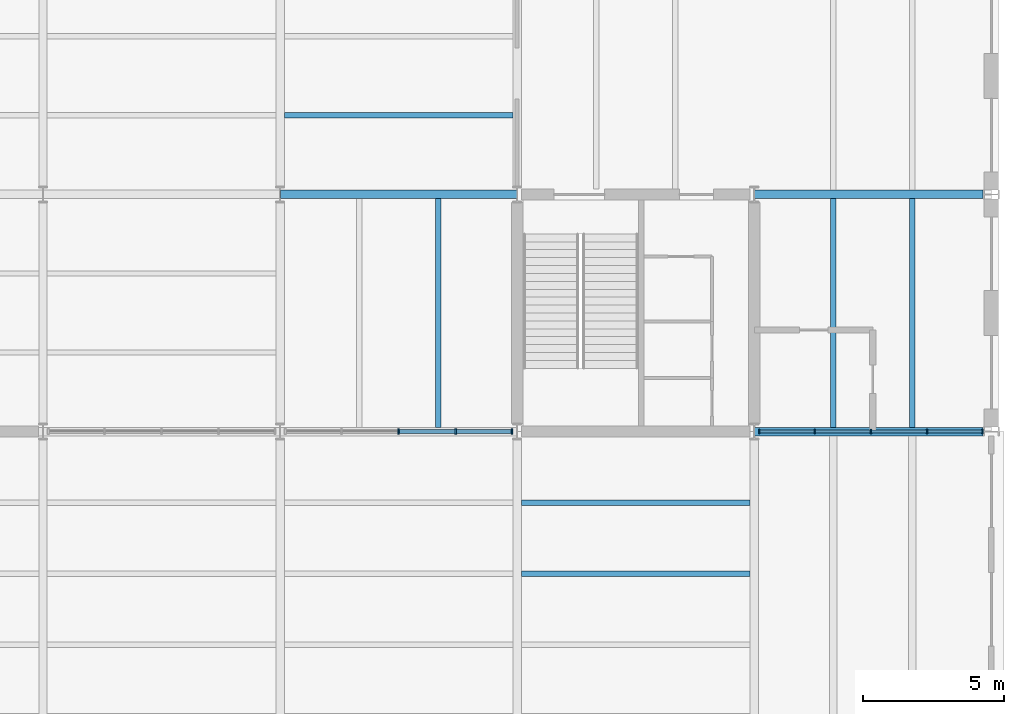
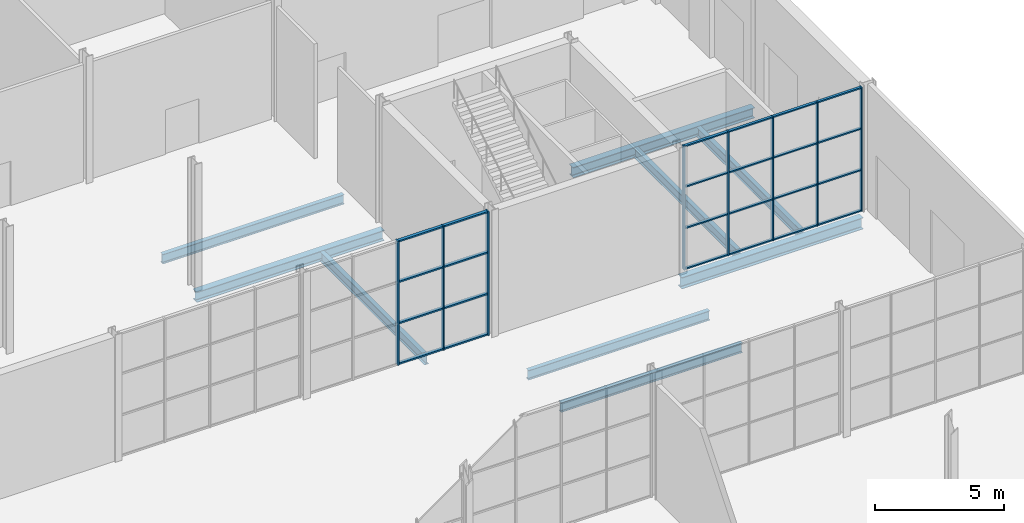
# One storey, part 25 of 55: 32 members, 9 beams, 2 elements without a shape of their own.
"""IFC4 building model written with IfcOpenShell, lengths in metres."""

from ifc_helpers import new_model, si_unit, direction, frame, origin, origin_2d, place, context, subcontext, project, spatial, rectangle, i_section, extrude, material, layer, layer_set, material_profile, profile_set, type_object, element, aggregate, save


model = new_model("IFC4")

# Units and contexts
model_context = context("Model", 3, precision=1e-05, world=origin(), true_north=direction((0.0, 1.0)))
body_context = subcontext(model_context, "Body", "Model", "MODEL_VIEW")
ifc_project = project(units=[si_unit("LENGTHUNIT", "METRE"), si_unit("AREAUNIT", "SQUARE_METRE"), si_unit("VOLUMEUNIT", "CUBIC_METRE"), si_unit("PLANEANGLEUNIT", "RADIAN"), si_unit("MASSUNIT", "GRAM", prefix="KILO")], contexts=[model_context])

# Site, building, storey
site_placement = place(None, origin())
site = spatial("IfcSite", under=ifc_project, at=site_placement, CompositionType="ELEMENT")
building_placement = place(site_placement, origin())
building = spatial("IfcBuilding", under=site, at=building_placement, Name="Galleria Vessillo Department Store", CompositionType="ELEMENT")
storey_placement = place(building_placement, origin())
storey = spatial("IfcBuildingStorey", under=building, at=storey_placement, Name="L00", CompositionType="ELEMENT", Elevation=0.0)

# Curtain wall, members
ifc_material_1 = material(Name="Aluminium and glass curtain wall", Category="aluminium")
ifc_layer_1 = layer(ifc_material_1, 0.159912109375)
ifc_layer_set_1 = layer_set([ifc_layer_1], Name="Aluminium and glass curtain wall")
curtain_wall_type_1 = type_object("IfcCurtainWallType", Name="Arcade portal glazing CW2 2100 module", PredefinedType="NOTDEFINED", material=ifc_layer_set_1)
curtain_wall_1_placement = place(storey_placement, origin())
curtain_wall_1 = element("IfcCurtainWall", 1, at=curtain_wall_1_placement, inside=storey, type_object=curtain_wall_type_1, Name="Arcade portal glazing CW2 2100 module PW-E-N-L00-01", PredefinedType="NOTDEFINED")
ifc_material_2 = material(Name="Aluminium alloy 6063 T6", Category="aluminium")
ifc_material_profile_1 = material_profile(ifc_material_2, rectangle(XDim=0.159912109375, YDim=0.050048828125, at=origin_2d()), Name="AL 50x160")
ifc_profile_set_1 = profile_set([ifc_material_profile_1], Name="Aluminium alloy 6063 T6")
member_type_1 = type_object("IfcMemberType", Name="Aluminium mullion 50 x 160", PredefinedType="MULLION", material=ifc_profile_set_1)
member_1_placement = place(storey_placement, frame((109.3779296875, 37.800048828125, 0.0), z_axis=(0.0, 0.0, 1.0), x_axis=(0.0, 1.0, 0.0)))
member_1 = element("IfcMember", 2, at=member_1_placement, type_object=member_type_1, Name="CW2 mullion 1", PredefinedType="MULLION", context=body_context, shape_type="SweptSolid", body=[
    extrude(rectangle(XDim=0.159912109375, YDim=0.050048828125, at=origin_2d()), origin(), (0.0, 0.0, 1.0), 5.85009765625),
])
member_2_placement = place(storey_placement, frame((111.34326171875, 37.800048828125, 0.0), z_axis=(0.0, 0.0, 1.0), x_axis=(0.0, 1.0, 0.0)))
member_2 = element("IfcMember", 3, at=member_2_placement, type_object=member_type_1, Name="CW2 mullion 2", PredefinedType="MULLION", context=body_context, shape_type="SweptSolid", body=[
    extrude(rectangle(XDim=0.159912109375, YDim=0.050048828125, at=origin_2d()), origin(), (0.0, 0.0, 1.0), 5.85009765625),
])
member_3_placement = place(storey_placement, frame((113.33349609375, 37.800048828125, 0.0), z_axis=(0.0, 0.0, 1.0), x_axis=(0.0, 1.0, 0.0)))
member_3 = element("IfcMember", 4, at=member_3_placement, type_object=member_type_1, Name="CW2 mullion 3", PredefinedType="MULLION", context=body_context, shape_type="SweptSolid", body=[
    extrude(rectangle(XDim=0.159912109375, YDim=0.050048828125, at=origin_2d()), origin(), (0.0, 0.0, 1.0), 5.85009765625),
])
member_4_placement = place(storey_placement, frame((115.323974609375, 37.800048828125, 0.0), z_axis=(0.0, 0.0, 1.0), x_axis=(0.0, 1.0, 0.0)))
member_4 = element("IfcMember", 5, at=member_4_placement, type_object=member_type_1, Name="CW2 mullion 4", PredefinedType="MULLION", context=body_context, shape_type="SweptSolid", body=[
    extrude(rectangle(XDim=0.159912109375, YDim=0.050048828125, at=origin_2d()), origin(), (0.0, 0.0, 1.0), 5.85009765625),
])
member_5_placement = place(storey_placement, frame((117.289306640625, 37.800048828125, 0.0), z_axis=(0.0, 0.0, 1.0), x_axis=(0.0, 1.0, 0.0)))
member_5 = element("IfcMember", 6, at=member_5_placement, type_object=member_type_1, Name="CW2 mullion 5", PredefinedType="MULLION", context=body_context, shape_type="SweptSolid", body=[
    extrude(rectangle(XDim=0.159912109375, YDim=0.050048828125, at=origin_2d()), origin(), (0.0, 0.0, 1.0), 5.85009765625),
])

ifc_material_3 = material(Name="Aluminium and glass curtain wall", Category="aluminium")
ifc_layer_2 = layer(ifc_material_3, 0.199951171875)
ifc_layer_set_2 = layer_set([ifc_layer_2], Name="Aluminium and glass curtain wall")
curtain_wall_type_2 = type_object("IfcCurtainWallType", Name="Arcade curtain wall CW1 2100 module", PredefinedType="NOTDEFINED", material=ifc_layer_set_2)
curtain_wall_2_placement = place(storey_placement, origin())
curtain_wall_2 = element("IfcCurtainWall", 7, at=curtain_wall_2_placement, inside=storey, type_object=curtain_wall_type_2, Name="Arcade curtain wall CW1 2100 module AI-AE-N-L00-02", PredefinedType="NOTDEFINED")
ifc_material_4 = material(Name="Aluminium alloy 6063 T6", Category="aluminium")
ifc_material_profile_2 = material_profile(ifc_material_4, rectangle(XDim=0.199951171875, YDim=0.06005859375, at=origin_2d()), Name="AL 60x200")
ifc_profile_set_2 = profile_set([ifc_material_profile_2], Name="Aluminium alloy 6063 T6")
member_type_2 = type_object("IfcMemberType", Name="Aluminium mullion 60 x 200", PredefinedType="MULLION", material=ifc_profile_set_2)
member_6_placement = place(storey_placement, frame((96.60009765625, 37.800048828125, 0.0), z_axis=(0.0, 0.0, 1.0), x_axis=(0.0, 1.0, 0.0)))
member_6 = element("IfcMember", 8, at=member_6_placement, type_object=member_type_2, Name="CW1 mullion 3", PredefinedType="MULLION", context=body_context, shape_type="SweptSolid", body=[
    extrude(rectangle(XDim=0.199951171875, YDim=0.06005859375, at=origin_2d()), origin(), (0.0, 0.0, 1.0), 5.85009765625),
])
member_7_placement = place(storey_placement, frame((98.62353515625, 37.800048828125, 0.0), z_axis=(0.0, 0.0, 1.0), x_axis=(0.0, 1.0, 0.0)))
member_7 = element("IfcMember", 9, at=member_7_placement, type_object=member_type_2, Name="CW1 mullion 4", PredefinedType="MULLION", context=body_context, shape_type="SweptSolid", body=[
    extrude(rectangle(XDim=0.199951171875, YDim=0.06005859375, at=origin_2d()), origin(), (0.0, 0.0, 1.0), 5.85009765625),
])
member_8_placement = place(storey_placement, frame((100.616943359375, 37.800048828125, 0.0), z_axis=(0.0, 0.0, 1.0), x_axis=(0.0, 1.0, 0.0)))
member_8 = element("IfcMember", 10, at=member_8_placement, type_object=member_type_2, Name="CW1 mullion 5", PredefinedType="MULLION", context=body_context, shape_type="SweptSolid", body=[
    extrude(rectangle(XDim=0.199951171875, YDim=0.06005859375, at=origin_2d()), origin(), (0.0, 0.0, 1.0), 5.85009765625),
])

# Member
ifc_material_5 = material(Name="Aluminium alloy 6063 T6", Category="aluminium")
ifc_material_profile_3 = material_profile(ifc_material_5, rectangle(XDim=0.1201171875, YDim=0.06005859375, at=origin_2d()), Name="AL 60x120")
ifc_profile_set_3 = profile_set([ifc_material_profile_3], Name="Aluminium alloy 6063 T6")
member_type_3 = type_object("IfcMemberType", Name="Aluminium transom 60 x 120", PredefinedType="USERDEFINED", material=ifc_profile_set_3)
member_9_placement = place(storey_placement, frame((109.403076171875, 37.800048828125, 0.030029296875), z_axis=(1.0, 0.0, 0.0), x_axis=(0.0, 1.0, 0.0)))
member_9 = element("IfcMember", 11, at=member_9_placement, type_object=member_type_3, Name="CW2 transom 1.1", ObjectType="TRANSOM", PredefinedType="USERDEFINED", context=body_context, shape_type="SweptSolid", body=[
    extrude(rectangle(XDim=0.1201171875, YDim=0.06005859375, at=origin_2d()), origin(), (0.0, 0.0, 1.0), 1.915283203125),
])

member_10_placement = place(storey_placement, frame((109.403076171875, 37.800048828125, 1.949951171875), z_axis=(1.0, 0.0, 0.0), x_axis=(0.0, 1.0, 0.0)))
member_10 = element("IfcMember", 12, at=member_10_placement, type_object=member_type_3, Name="CW2 transom 1.2", ObjectType="TRANSOM", PredefinedType="USERDEFINED", context=body_context, shape_type="SweptSolid", body=[
    extrude(rectangle(XDim=0.1201171875, YDim=0.06005859375, at=origin_2d()), origin(), (0.0, 0.0, 1.0), 1.915283203125),
])

member_11_placement = place(storey_placement, frame((109.403076171875, 37.800048828125, 3.900146484375), z_axis=(1.0, 0.0, 0.0), x_axis=(0.0, 1.0, 0.0)))
member_11 = element("IfcMember", 13, at=member_11_placement, type_object=member_type_3, Name="CW2 transom 1.3", ObjectType="TRANSOM", PredefinedType="USERDEFINED", context=body_context, shape_type="SweptSolid", body=[
    extrude(rectangle(XDim=0.1201171875, YDim=0.06005859375, at=origin_2d()), origin(), (0.0, 0.0, 1.0), 1.915283203125),
])

member_12_placement = place(storey_placement, frame((109.403076171875, 37.800048828125, 5.820068359375), z_axis=(1.0, 0.0, 0.0), x_axis=(0.0, 1.0, 0.0)))
member_12 = element("IfcMember", 14, at=member_12_placement, type_object=member_type_3, Name="CW2 transom 1.4", ObjectType="TRANSOM", PredefinedType="USERDEFINED", context=body_context, shape_type="SweptSolid", body=[
    extrude(rectangle(XDim=0.1201171875, YDim=0.06005859375, at=origin_2d()), origin(), (0.0, 0.0, 1.0), 1.915283203125),
])

member_13_placement = place(storey_placement, frame((111.368408203125, 37.800048828125, 0.030029296875), z_axis=(1.0, 0.0, 0.0), x_axis=(0.0, 1.0, 0.0)))
member_13 = element("IfcMember", 15, at=member_13_placement, type_object=member_type_3, Name="CW2 transom 2.1", ObjectType="TRANSOM", PredefinedType="USERDEFINED", context=body_context, shape_type="SweptSolid", body=[
    extrude(rectangle(XDim=0.1201171875, YDim=0.06005859375, at=origin_2d()), origin(), (0.0, 0.0, 1.0), 1.940185546875),
])

member_14_placement = place(storey_placement, frame((111.368408203125, 37.800048828125, 1.949951171875), z_axis=(1.0, 0.0, 0.0), x_axis=(0.0, 1.0, 0.0)))
member_14 = element("IfcMember", 16, at=member_14_placement, type_object=member_type_3, Name="CW2 transom 2.2", ObjectType="TRANSOM", PredefinedType="USERDEFINED", context=body_context, shape_type="SweptSolid", body=[
    extrude(rectangle(XDim=0.1201171875, YDim=0.06005859375, at=origin_2d()), origin(), (0.0, 0.0, 1.0), 1.940185546875),
])

member_15_placement = place(storey_placement, frame((111.368408203125, 37.800048828125, 3.900146484375), z_axis=(1.0, 0.0, 0.0), x_axis=(0.0, 1.0, 0.0)))
member_15 = element("IfcMember", 17, at=member_15_placement, type_object=member_type_3, Name="CW2 transom 2.3", ObjectType="TRANSOM", PredefinedType="USERDEFINED", context=body_context, shape_type="SweptSolid", body=[
    extrude(rectangle(XDim=0.1201171875, YDim=0.06005859375, at=origin_2d()), origin(), (0.0, 0.0, 1.0), 1.940185546875),
])

member_16_placement = place(storey_placement, frame((111.368408203125, 37.800048828125, 5.820068359375), z_axis=(1.0, 0.0, 0.0), x_axis=(0.0, 1.0, 0.0)))
member_16 = element("IfcMember", 18, at=member_16_placement, type_object=member_type_3, Name="CW2 transom 2.4", ObjectType="TRANSOM", PredefinedType="USERDEFINED", context=body_context, shape_type="SweptSolid", body=[
    extrude(rectangle(XDim=0.1201171875, YDim=0.06005859375, at=origin_2d()), origin(), (0.0, 0.0, 1.0), 1.940185546875),
])

member_17_placement = place(storey_placement, frame((113.358642578125, 37.800048828125, 0.030029296875), z_axis=(1.0, 0.0, 0.0), x_axis=(0.0, 1.0, 0.0)))
member_17 = element("IfcMember", 19, at=member_17_placement, type_object=member_type_3, Name="CW2 transom 3.1", ObjectType="TRANSOM", PredefinedType="USERDEFINED", context=body_context, shape_type="SweptSolid", body=[
    extrude(rectangle(XDim=0.1201171875, YDim=0.06005859375, at=origin_2d()), origin(), (0.0, 0.0, 1.0), 1.940185546875),
])

member_18_placement = place(storey_placement, frame((113.358642578125, 37.800048828125, 1.949951171875), z_axis=(1.0, 0.0, 0.0), x_axis=(0.0, 1.0, 0.0)))
member_18 = element("IfcMember", 20, at=member_18_placement, type_object=member_type_3, Name="CW2 transom 3.2", ObjectType="TRANSOM", PredefinedType="USERDEFINED", context=body_context, shape_type="SweptSolid", body=[
    extrude(rectangle(XDim=0.1201171875, YDim=0.06005859375, at=origin_2d()), origin(), (0.0, 0.0, 1.0), 1.940185546875),
])

member_19_placement = place(storey_placement, frame((113.358642578125, 37.800048828125, 3.900146484375), z_axis=(1.0, 0.0, 0.0), x_axis=(0.0, 1.0, 0.0)))
member_19 = element("IfcMember", 21, at=member_19_placement, type_object=member_type_3, Name="CW2 transom 3.3", ObjectType="TRANSOM", PredefinedType="USERDEFINED", context=body_context, shape_type="SweptSolid", body=[
    extrude(rectangle(XDim=0.1201171875, YDim=0.06005859375, at=origin_2d()), origin(), (0.0, 0.0, 1.0), 1.940185546875),
])

member_20_placement = place(storey_placement, frame((113.358642578125, 37.800048828125, 5.820068359375), z_axis=(1.0, 0.0, 0.0), x_axis=(0.0, 1.0, 0.0)))
member_20 = element("IfcMember", 22, at=member_20_placement, type_object=member_type_3, Name="CW2 transom 3.4", ObjectType="TRANSOM", PredefinedType="USERDEFINED", context=body_context, shape_type="SweptSolid", body=[
    extrude(rectangle(XDim=0.1201171875, YDim=0.06005859375, at=origin_2d()), origin(), (0.0, 0.0, 1.0), 1.940185546875),
])

member_21_placement = place(storey_placement, frame((115.348876953125, 37.800048828125, 0.030029296875), z_axis=(1.0, 0.0, 0.0), x_axis=(0.0, 1.0, 0.0)))
member_21 = element("IfcMember", 23, at=member_21_placement, type_object=member_type_3, Name="CW2 transom 4.1", ObjectType="TRANSOM", PredefinedType="USERDEFINED", context=body_context, shape_type="SweptSolid", body=[
    extrude(rectangle(XDim=0.1201171875, YDim=0.06005859375, at=origin_2d()), origin(), (0.0, 0.0, 1.0), 1.915283203125),
])

member_22_placement = place(storey_placement, frame((115.348876953125, 37.800048828125, 1.949951171875), z_axis=(1.0, 0.0, 0.0), x_axis=(0.0, 1.0, 0.0)))
member_22 = element("IfcMember", 24, at=member_22_placement, type_object=member_type_3, Name="CW2 transom 4.2", ObjectType="TRANSOM", PredefinedType="USERDEFINED", context=body_context, shape_type="SweptSolid", body=[
    extrude(rectangle(XDim=0.1201171875, YDim=0.06005859375, at=origin_2d()), origin(), (0.0, 0.0, 1.0), 1.915283203125),
])

member_23_placement = place(storey_placement, frame((115.348876953125, 37.800048828125, 3.900146484375), z_axis=(1.0, 0.0, 0.0), x_axis=(0.0, 1.0, 0.0)))
member_23 = element("IfcMember", 25, at=member_23_placement, type_object=member_type_3, Name="CW2 transom 4.3", ObjectType="TRANSOM", PredefinedType="USERDEFINED", context=body_context, shape_type="SweptSolid", body=[
    extrude(rectangle(XDim=0.1201171875, YDim=0.06005859375, at=origin_2d()), origin(), (0.0, 0.0, 1.0), 1.915283203125),
])

member_24_placement = place(storey_placement, frame((115.348876953125, 37.800048828125, 5.820068359375), z_axis=(1.0, 0.0, 0.0), x_axis=(0.0, 1.0, 0.0)))
member_24 = element("IfcMember", 26, at=member_24_placement, type_object=member_type_3, Name="CW2 transom 4.4", ObjectType="TRANSOM", PredefinedType="USERDEFINED", context=body_context, shape_type="SweptSolid", body=[
    extrude(rectangle(XDim=0.1201171875, YDim=0.06005859375, at=origin_2d()), origin(), (0.0, 0.0, 1.0), 1.915283203125),
])

aggregate(curtain_wall_1, [member_1, member_2, member_3, member_4, member_5, member_9, member_10, member_11, member_12, member_13, member_14, member_15, member_16, member_17, member_18, member_19, member_20, member_21, member_22, member_23, member_24])

ifc_material_6 = material(Name="Aluminium alloy 6063 T6", Category="aluminium")
ifc_material_profile_4 = material_profile(ifc_material_6, rectangle(XDim=0.139892578125, YDim=0.070068359375, at=origin_2d()), Name="AL 70x140")
ifc_profile_set_4 = profile_set([ifc_material_profile_4], Name="Aluminium alloy 6063 T6")
member_type_4 = type_object("IfcMemberType", Name="Aluminium transom 70 x 140", PredefinedType="USERDEFINED", material=ifc_profile_set_4)
member_25_placement = place(storey_placement, frame((96.6298828125, 37.800048828125, 0.034912109375), z_axis=(1.0, 0.0, 0.0), x_axis=(0.0, 1.0, 0.0)))
member_25 = element("IfcMember", 27, at=member_25_placement, type_object=member_type_4, Name="CW1 transom 3.1", ObjectType="TRANSOM", PredefinedType="USERDEFINED", context=body_context, shape_type="SweptSolid", body=[
    extrude(rectangle(XDim=0.139892578125, YDim=0.070068359375, at=origin_2d()), origin(), (0.0, 0.0, 1.0), 1.963623046875),
])

member_26_placement = place(storey_placement, frame((96.6298828125, 37.800048828125, 1.949951171875), z_axis=(1.0, 0.0, 0.0), x_axis=(0.0, 1.0, 0.0)))
member_26 = element("IfcMember", 28, at=member_26_placement, type_object=member_type_4, Name="CW1 transom 3.2", ObjectType="TRANSOM", PredefinedType="USERDEFINED", context=body_context, shape_type="SweptSolid", body=[
    extrude(rectangle(XDim=0.139892578125, YDim=0.070068359375, at=origin_2d()), origin(), (0.0, 0.0, 1.0), 1.963623046875),
])

member_27_placement = place(storey_placement, frame((96.6298828125, 37.800048828125, 3.900146484375), z_axis=(1.0, 0.0, 0.0), x_axis=(0.0, 1.0, 0.0)))
member_27 = element("IfcMember", 29, at=member_27_placement, type_object=member_type_4, Name="CW1 transom 3.3", ObjectType="TRANSOM", PredefinedType="USERDEFINED", context=body_context, shape_type="SweptSolid", body=[
    extrude(rectangle(XDim=0.139892578125, YDim=0.070068359375, at=origin_2d()), origin(), (0.0, 0.0, 1.0), 1.963623046875),
])

member_28_placement = place(storey_placement, frame((96.6298828125, 37.800048828125, 5.815185546875), z_axis=(1.0, 0.0, 0.0), x_axis=(0.0, 1.0, 0.0)))
member_28 = element("IfcMember", 30, at=member_28_placement, type_object=member_type_4, Name="CW1 transom 3.4", ObjectType="TRANSOM", PredefinedType="USERDEFINED", context=body_context, shape_type="SweptSolid", body=[
    extrude(rectangle(XDim=0.139892578125, YDim=0.070068359375, at=origin_2d()), origin(), (0.0, 0.0, 1.0), 1.963623046875),
])

member_29_placement = place(storey_placement, frame((98.653564453125, 37.800048828125, 0.034912109375), z_axis=(1.0, 0.0, 0.0), x_axis=(0.0, 1.0, 0.0)))
member_29 = element("IfcMember", 31, at=member_29_placement, type_object=member_type_4, Name="CW1 transom 4.1", ObjectType="TRANSOM", PredefinedType="USERDEFINED", context=body_context, shape_type="SweptSolid", body=[
    extrude(rectangle(XDim=0.139892578125, YDim=0.070068359375, at=origin_2d()), origin(), (0.0, 0.0, 1.0), 1.933349609375),
])

member_30_placement = place(storey_placement, frame((98.653564453125, 37.800048828125, 1.949951171875), z_axis=(1.0, 0.0, 0.0), x_axis=(0.0, 1.0, 0.0)))
member_30 = element("IfcMember", 32, at=member_30_placement, type_object=member_type_4, Name="CW1 transom 4.2", ObjectType="TRANSOM", PredefinedType="USERDEFINED", context=body_context, shape_type="SweptSolid", body=[
    extrude(rectangle(XDim=0.139892578125, YDim=0.070068359375, at=origin_2d()), origin(), (0.0, 0.0, 1.0), 1.933349609375),
])

member_31_placement = place(storey_placement, frame((98.653564453125, 37.800048828125, 3.900146484375), z_axis=(1.0, 0.0, 0.0), x_axis=(0.0, 1.0, 0.0)))
member_31 = element("IfcMember", 33, at=member_31_placement, type_object=member_type_4, Name="CW1 transom 4.3", ObjectType="TRANSOM", PredefinedType="USERDEFINED", context=body_context, shape_type="SweptSolid", body=[
    extrude(rectangle(XDim=0.139892578125, YDim=0.070068359375, at=origin_2d()), origin(), (0.0, 0.0, 1.0), 1.933349609375),
])

member_32_placement = place(storey_placement, frame((98.653564453125, 37.800048828125, 5.815185546875), z_axis=(1.0, 0.0, 0.0), x_axis=(0.0, 1.0, 0.0)))
member_32 = element("IfcMember", 34, at=member_32_placement, type_object=member_type_4, Name="CW1 transom 4.4", ObjectType="TRANSOM", PredefinedType="USERDEFINED", context=body_context, shape_type="SweptSolid", body=[
    extrude(rectangle(XDim=0.139892578125, YDim=0.070068359375, at=origin_2d()), origin(), (0.0, 0.0, 1.0), 1.933349609375),
])

aggregate(curtain_wall_2, [member_6, member_7, member_8, member_25, member_26, member_27, member_28, member_29, member_30, member_31, member_32])

# Beams
ifc_material_7 = material(Name="Steel S355 J2", Category="steel")
ifc_material_profile_5 = material_profile(ifc_material_7, i_section(OverallWidth=0.300048828125, OverallDepth=0.489990234375, WebThickness=0.011962890625, FlangeThickness=0.02294921875, FilletRadius=0.027099609375, at=origin_2d()), Name="HEA 500")
ifc_profile_set_5 = profile_set([ifc_material_profile_5], Name="Steel S355 J2")
beam_type_1 = type_object("IfcBeamType", Name="Floor girder HEA 500", PredefinedType="BEAM", material=ifc_profile_set_5)
beam_1_placement = place(storey_placement, frame((92.41064453125, 46.199951171875, -0.39501953125), z_axis=(1.0, 0.0, 0.0), x_axis=(0.0, 1.0, 0.0)))
element("IfcBeam", 35, at=beam_1_placement, inside=storey, type_object=beam_type_1, Name="S-BM-L00-GI-x46200-92411", PredefinedType="BEAM", context=body_context, shape_type="SweptSolid", body=[
    extrude(i_section(OverallWidth=0.300048828125, OverallDepth=0.489990234375, WebThickness=0.011962890625, FlangeThickness=0.02294921875, FilletRadius=0.027099609375, at=origin_2d()), origin(), (0.0, 0.0, 1.0), 8.378662109375),
])
beam_2_placement = place(storey_placement, frame((109.210693359375, 46.199951171875, -0.39501953125), z_axis=(1.0, 0.0, 0.0), x_axis=(0.0, 1.0, 0.0)))
element("IfcBeam", 36, at=beam_2_placement, inside=storey, type_object=beam_type_1, Name="S-BM-L00-GI-x46200-109211", PredefinedType="BEAM", context=body_context, shape_type="SweptSolid", body=[
    extrude(i_section(OverallWidth=0.300048828125, OverallDepth=0.489990234375, WebThickness=0.011962890625, FlangeThickness=0.02294921875, FilletRadius=0.027099609375, at=origin_2d()), origin(), (0.0, 0.0, 1.0), 8.103271484375),
])
ifc_material_8 = material(Name="Steel S355 J2", Category="steel")
ifc_material_profile_6 = material_profile(ifc_material_8, i_section(OverallWidth=0.300048828125, OverallDepth=0.5400390625, WebThickness=0.012451171875, FlangeThickness=0.02392578125, FilletRadius=0.027099609375, at=origin_2d()), Name="HEA 550")
ifc_profile_set_6 = profile_set([ifc_material_profile_6], Name="Steel S355 J2")
beam_type_2 = type_object("IfcBeamType", Name="Floor girder HEA 550", PredefinedType="BEAM", material=ifc_profile_set_6)
beam_3_placement = place(storey_placement, frame((109.210693359375, 37.800048828125, -0.52001953125), z_axis=(1.0, 0.0, 0.0), x_axis=(0.0, 1.0, 0.0)))
element("IfcBeam", 37, at=beam_3_placement, inside=storey, type_object=beam_type_2, Name="S-BM-L00-GI-x37800-109211", PredefinedType="BEAM", context=body_context, shape_type="SweptSolid", body=[
    extrude(i_section(OverallWidth=0.300048828125, OverallDepth=0.5400390625, WebThickness=0.012451171875, FlangeThickness=0.02392578125, FilletRadius=0.027099609375, at=origin_2d()), origin(), (0.0, 0.0, 1.0), 8.103271484375),
])
ifc_material_9 = material(Name="Steel S355 J2", Category="steel")
ifc_material_profile_7 = material_profile(ifc_material_9, i_section(OverallWidth=0.18994140625, OverallDepth=0.449951171875, WebThickness=0.009521484375, FlangeThickness=0.0146484375, FilletRadius=0.02099609375, at=origin_2d()), Name="IPE 450")
ifc_profile_set_7 = profile_set([ifc_material_profile_7], Name="Steel S355 J2")
beam_type_3 = type_object("IfcBeamType", Name="Floor joist IPE 450", PredefinedType="JOIST", material=ifc_profile_set_7)
beam_4_placement = place(storey_placement, frame((98.0, 37.9501953125, -0.375), z_axis=(0.0, 1.0, 0.0), x_axis=(-1.0, 0.0, 0.0)))
element("IfcBeam", 38, at=beam_4_placement, inside=storey, type_object=beam_type_3, Name="S-BM-L00-JO-y98000-37950", PredefinedType="JOIST", context=body_context, shape_type="SweptSolid", body=[
    extrude(i_section(OverallWidth=0.18994140625, OverallDepth=0.449951171875, WebThickness=0.009521484375, FlangeThickness=0.0146484375, FilletRadius=0.02099609375, at=origin_2d()), origin(), (0.0, 0.0, 1.0), 8.099609375),
])
beam_5_placement = place(storey_placement, frame((92.550048828125, 49.0, -0.375), z_axis=(1.0, 0.0, 0.0), x_axis=(0.0, 1.0, 0.0)))
element("IfcBeam", 39, at=beam_5_placement, inside=storey, type_object=beam_type_3, Name="S-BM-L00-JO-x49000-92550", PredefinedType="JOIST", context=body_context, shape_type="SweptSolid", body=[
    extrude(i_section(OverallWidth=0.18994140625, OverallDepth=0.449951171875, WebThickness=0.009521484375, FlangeThickness=0.0146484375, FilletRadius=0.02099609375, at=origin_2d()), origin(), (0.0, 0.0, 1.0), 8.099853515625),
])
for number, where, z_axis, x_axis, name in (
    (40, (100.9501953125, 32.760009765625, -0.47509765625), (1.0, 0.0, 0.0), (0.0, 1.0, 0.0), "S-BM-L00-JO-x32760-100950"),
    (41, (100.9501953125, 35.280029296875, -0.47509765625), (1.0, 0.0, 0.0), (0.0, 1.0, 0.0), "S-BM-L00-JO-x35280-100950"),
    (42, (112.0, 37.9501953125, -0.375), (0.0, 1.0, 0.0), (-1.0, 0.0, 0.0), "S-BM-L00-JO-y112000-37950"),
    (43, (114.800048828125, 37.9501953125, -0.375), (0.0, 1.0, 0.0), (-1.0, 0.0, 0.0), "S-BM-L00-JO-y114800-37950"),
):
    element("IfcBeam", number, at=place(storey_placement, frame(where, z_axis=z_axis, x_axis=x_axis)), inside=storey, type_object=beam_type_3, Name=name, PredefinedType="JOIST", context=body_context, shape_type="SweptSolid", body=[
        extrude(i_section(OverallWidth=0.18994140625, OverallDepth=0.449951171875, WebThickness=0.009521484375, FlangeThickness=0.0146484375, FilletRadius=0.02099609375, at=origin_2d()), origin(), (0.0, 0.0, 1.0), 8.099609375),
    ])

save(model, "model.ifc")
